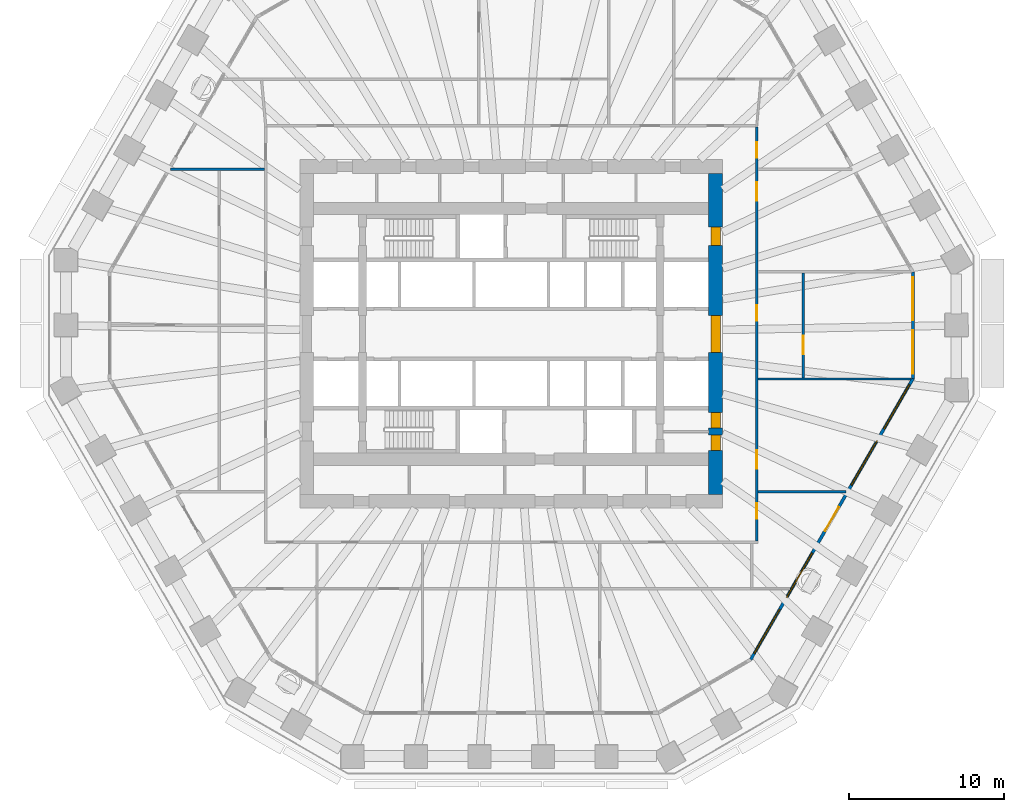
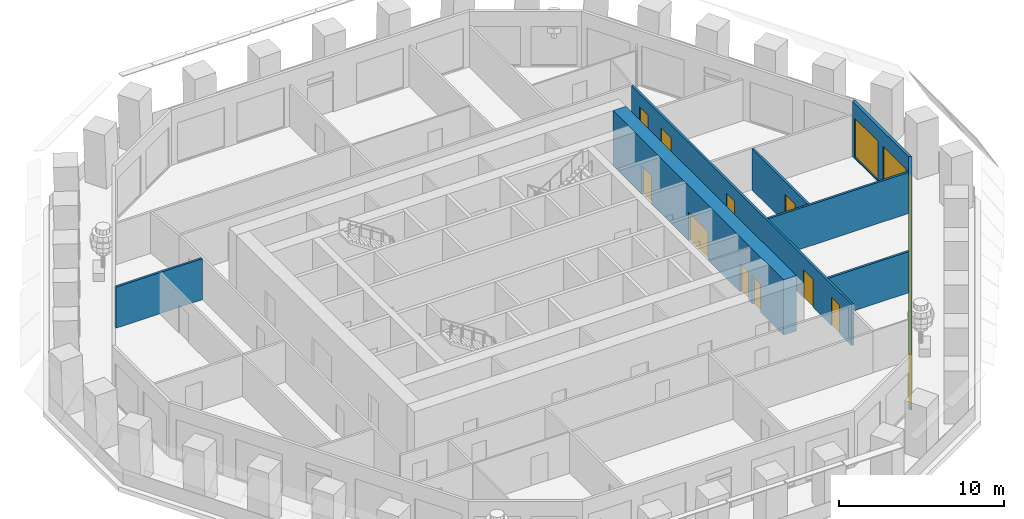
# One storey, part 6 of 13: 11 doors, 8 walls, 7 windows, 18 openings.
"""IFC4 building model written with IfcOpenShell, lengths in metres."""

from ifc_helpers import new_model, si_unit, direction, frame, frame_2d, origin, place, context, subcontext, project, spatial, polyline, rectangle, outline, extrude, material, layer, layer_set, type_object, element, fill, save


model = new_model("IFC4")

# Units and contexts
model_context = context("Model", 3, precision=1e-05, world=origin(), true_north=direction((0.0, 1.0)))
body_context = subcontext(model_context, "Body", "Model", "MODEL_VIEW")
ifc_project = project(units=[si_unit("LENGTHUNIT", "METRE"), si_unit("AREAUNIT", "SQUARE_METRE"), si_unit("VOLUMEUNIT", "CUBIC_METRE"), si_unit("PLANEANGLEUNIT", "RADIAN"), si_unit("MASSUNIT", "GRAM", prefix="KILO")], contexts=[model_context])

# Site, building, storey
site_placement = place(None, origin())
site = spatial("IfcSite", under=ifc_project, at=site_placement, CompositionType="ELEMENT")
building_placement = place(site_placement, origin())
building = spatial("IfcBuilding", under=site, at=building_placement, Name="Frailejon Research Tower", CompositionType="ELEMENT")
storey_placement = place(building_placement, frame((0.0, 0.0, 32.199951171875)))
storey = spatial("IfcBuildingStorey", under=building, at=storey_placement, Name="L07", CompositionType="ELEMENT", Elevation=32.199951171875)

# Wall, openings, doors
ifc_material_1 = material(Name="Concrete C70/85", Category="concrete")
ifc_layer_1 = layer(ifc_material_1, 0.89990234375)
ifc_layer_set_1 = layer_set([ifc_layer_1], Name="Core shear wall 900 C70/85")
wall_type_1 = type_object("IfcWallType", Name="Core shear wall 900 C70/85", PredefinedType="SHEAR", material=ifc_layer_set_1)
wall_1_placement = place(storey_placement, frame((13.199951171875, -10.35009765625, 0.0), z_axis=(0.0, 0.0, 1.0), x_axis=(0.0, 1.0, 0.0)))
wall_1 = element("IfcWall", 1, at=wall_1_placement, inside=storey, type_object=wall_type_1, Name="Core shear wall", PredefinedType="SHEAR", context=body_context, shape_type="SweptSolid", body=[
    extrude(rectangle(XDim=20.7001953125, YDim=0.89990234375, at=frame_2d((10.35009765625, 0.0))), origin(), (0.0, 0.0, 1.0), 4.10009765625),
])
opening_1_placement = place(wall_1_placement, frame((9.14990234375, 0.0, 0.0)))
opening_1 = element("IfcOpeningElement", 2, at=opening_1_placement, cuts=wall_1, Name="Opening D2", PredefinedType="OPENING", context=body_context, shape_type="SweptSolid", body=[
    extrude(rectangle(XDim=2.39990234375, YDim=2.10009765625, at=frame_2d((1.199951171875, 1.050048828125))), frame((0.0, 0.4599609375, 0.0), z_axis=(0.0, -1.0, 0.0), x_axis=(1.0, 0.0, 0.0)), (0.0, 0.0, 1.0), 0.919921875),
])
opening_2_placement = place(wall_1_placement, frame((16.050048828125, 0.0, 0.0)))
opening_2 = element("IfcOpeningElement", 3, at=opening_2_placement, cuts=wall_1, Name="Opening D7", PredefinedType="OPENING", context=body_context, shape_type="SweptSolid", body=[
    extrude(rectangle(XDim=1.199951171875, YDim=2.10009765625, at=frame_2d((0.60009765625, 1.050048828125))), frame((0.0, 0.4599609375, 0.0), z_axis=(0.0, -1.0, 0.0), x_axis=(1.0, 0.0, 0.0)), (0.0, 0.0, 1.0), 0.919921875),
])
opening_3_placement = place(wall_1_placement, frame((2.81884765625, 0.0, 0.0)))
opening_3 = element("IfcOpeningElement", 4, at=opening_3_placement, cuts=wall_1, Name="Opening D4", PredefinedType="OPENING", context=body_context, shape_type="SweptSolid", body=[
    extrude(rectangle(XDim=1.0, YDim=2.10009765625, at=frame_2d((0.5, 1.050048828125))), frame((0.0, 0.4599609375, 0.0), z_axis=(0.0, -1.0, 0.0), x_axis=(1.0, 0.0, 0.0)), (0.0, 0.0, 1.0), 0.919921875),
])
opening_4_placement = place(wall_1_placement, frame((4.28125, 0.0, 0.0)))
opening_4 = element("IfcOpeningElement", 5, at=opening_4_placement, cuts=wall_1, Name="Opening D4", PredefinedType="OPENING", context=body_context, shape_type="SweptSolid", body=[
    extrude(rectangle(XDim=1.0, YDim=2.10009765625, at=frame_2d((0.5, 1.050048828125))), frame((0.0, 0.4599609375, 0.0), z_axis=(0.0, -1.0, 0.0), x_axis=(1.0, 0.0, 0.0)), (0.0, 0.0, 1.0), 0.919921875),
])
ifc_material_2 = material(Name="Steel", Category="steel")
door_type_1 = type_object("IfcDoorType", Name="Lobby double door", OperationType="DOUBLE_DOOR_SINGLE_SWING", PredefinedType="DOOR", material=ifc_material_2)
door_1_placement = place(opening_1_placement, origin())
door_1 = element("IfcDoor", 6, at=door_1_placement, inside=storey, type_object=door_type_1, Name="Lobby door", OperationType="DOUBLE_DOOR_SINGLE_SWING", OverallHeight=2.10009765625, OverallWidth=2.39990234375, PredefinedType="DOOR", context=body_context, shape_type="SweptSolid", body=[
    extrude(rectangle(XDim=2.39990234375, YDim=2.10009765625, at=frame_2d((1.199951171875, 1.050048828125))), frame((0.0, 0.300048828125, 0.0), z_axis=(0.0, -1.0, 0.0), x_axis=(1.0, 0.0, 0.0)), (0.0, 0.0, 1.0), 0.60009765625),
])
fill(opening_1, door_1)
ifc_material_3 = material(Name="Steel", Category="steel")
door_type_2 = type_object("IfcDoorType", Name="Service door", OperationType="SINGLE_SWING_LEFT", PredefinedType="DOOR", material=ifc_material_3)
door_2_placement = place(opening_3_placement, origin())
door_2 = element("IfcDoor", 7, at=door_2_placement, inside=storey, type_object=door_type_2, Name="Store door", OperationType="SINGLE_SWING_LEFT", OverallHeight=2.10009765625, OverallWidth=1.0, PredefinedType="DOOR", context=body_context, shape_type="SweptSolid", body=[
    extrude(rectangle(XDim=1.0, YDim=2.10009765625, at=frame_2d((0.5, 1.050048828125))), frame((0.0, 0.300048828125, 0.0), z_axis=(0.0, -1.0, 0.0), x_axis=(1.0, 0.0, 0.0)), (0.0, 0.0, 1.0), 0.60009765625),
])
fill(opening_3, door_2)
door_3_placement = place(opening_4_placement, origin())
door_3 = element("IfcDoor", 8, at=door_3_placement, inside=storey, type_object=door_type_2, Name="Store door", OperationType="SINGLE_SWING_RIGHT", OverallHeight=2.10009765625, OverallWidth=1.0, PredefinedType="DOOR", context=body_context, shape_type="SweptSolid", body=[
    extrude(rectangle(XDim=1.0, YDim=2.10009765625, at=frame_2d((0.5, 1.050048828125))), frame((0.0, 0.300048828125, 0.0), z_axis=(0.0, -1.0, 0.0), x_axis=(1.0, 0.0, 0.0)), (0.0, 0.0, 1.0), 0.60009765625),
])
fill(opening_4, door_3)
ifc_material_4 = material(Name="Steel", Category="steel")
door_type_3 = type_object("IfcDoorType", Name="Stair exit door", OperationType="SINGLE_SWING_LEFT", PredefinedType="DOOR", material=ifc_material_4)
door_4_placement = place(opening_2_placement, origin())
door_4 = element("IfcDoor", 9, at=door_4_placement, inside=storey, type_object=door_type_3, Name="Stair exit door ST3", OperationType="SINGLE_SWING_LEFT", OverallHeight=2.10009765625, OverallWidth=1.199951171875, PredefinedType="DOOR", context=body_context, shape_type="SweptSolid", body=[
    extrude(rectangle(XDim=1.199951171875, YDim=2.10009765625, at=frame_2d((0.60009765625, 1.050048828125))), frame((0.0, 0.300048828125, 0.0), z_axis=(0.0, -1.0, 0.0), x_axis=(1.0, 0.0, 0.0)), (0.0, 0.0, 1.0), 0.60009765625),
])
fill(opening_2, door_4)

ifc_material_5 = material(Name="Gypsum board and masonry partition", Category="masonry")
ifc_layer_2 = layer(ifc_material_5, 0.14990234375)
ifc_layer_set_2 = layer_set([ifc_layer_2], Name="Corridor wall EI 60, gypsum on steel studs 150")
wall_type_2 = type_object("IfcWallType", Name="Corridor wall EI 60, gypsum on steel studs 150", PredefinedType="PARTITIONING", material=ifc_layer_set_2)
wall_2_placement = place(storey_placement, frame((15.85009765625, -13.375, 0.0), z_axis=(0.0, 0.0, 1.0), x_axis=(0.0, 1.0, 0.0)))
wall_2 = element("IfcWall", 10, at=wall_2_placement, inside=storey, type_object=wall_type_2, Name="T:IW:L07:001", PredefinedType="PARTITIONING", context=body_context, shape_type="SweptSolid", body=[
    extrude(rectangle(XDim=26.75, YDim=0.14990234375, at=frame_2d((13.375, 0.0))), origin(), (0.0, 0.0, 1.0), 3.050048828125),
])
opening_5_placement = place(wall_2_placement, frame((14.21240234375, 0.0, 0.0)))
opening_5 = element("IfcOpeningElement", 11, at=opening_5_placement, cuts=wall_2, Name="Opening D1320", PredefinedType="OPENING", context=body_context, shape_type="SweptSolid", body=[
    extrude(rectangle(XDim=1.0, YDim=2.10009765625, at=frame_2d((0.5, 1.050048828125))), frame((0.0, 0.0849609375, 0.0), z_axis=(0.0, -1.0, 0.0), x_axis=(1.0, 0.0, 0.0)), (0.0, 0.0, 1.0), 0.169921875),
])
opening_6_placement = place(wall_2_placement, frame((21.95849609375, 0.0, 0.0)))
opening_6 = element("IfcOpeningElement", 12, at=opening_6_placement, cuts=wall_2, Name="Opening D1321", PredefinedType="OPENING", context=body_context, shape_type="SweptSolid", body=[
    extrude(rectangle(XDim=1.199951171875, YDim=2.10009765625, at=frame_2d((0.60009765625, 1.050048828125))), frame((0.0, 0.0849609375, 0.0), z_axis=(0.0, -1.0, 0.0), x_axis=(1.0, 0.0, 0.0)), (0.0, 0.0, 1.0), 0.169921875),
])
opening_7_placement = place(wall_2_placement, frame((24.743408203125, 0.0, 0.0)))
opening_7 = element("IfcOpeningElement", 13, at=opening_7_placement, cuts=wall_2, Name="Opening D1322", PredefinedType="OPENING", context=body_context, shape_type="SweptSolid", body=[
    extrude(rectangle(XDim=1.0, YDim=2.10009765625, at=frame_2d((0.5, 1.050048828125))), frame((0.0, 0.0849609375, 0.0), z_axis=(0.0, -1.0, 0.0), x_axis=(1.0, 0.0, 0.0)), (0.0, 0.0, 1.0), 0.169921875),
])
opening_8_placement = place(wall_2_placement, frame((1.450927734375, 0.0, 0.0)))
opening_8 = element("IfcOpeningElement", 14, at=opening_8_placement, cuts=wall_2, Name="Opening D1343", PredefinedType="OPENING", context=body_context, shape_type="SweptSolid", body=[
    extrude(rectangle(XDim=1.0, YDim=2.10009765625, at=frame_2d((0.5, 1.050048828125))), frame((0.0, 0.0849609375, 0.0), z_axis=(0.0, -1.0, 0.0), x_axis=(1.0, 0.0, 0.0)), (0.0, 0.0, 1.0), 0.169921875),
])
opening_9_placement = place(wall_2_placement, frame((4.6708984375, 0.0, 0.0)))
opening_9 = element("IfcOpeningElement", 15, at=opening_9_placement, cuts=wall_2, Name="Opening D1344", PredefinedType="OPENING", context=body_context, shape_type="SweptSolid", body=[
    extrude(rectangle(XDim=1.199951171875, YDim=2.10009765625, at=frame_2d((0.60009765625, 1.050048828125))), frame((0.0, 0.0849609375, 0.0), z_axis=(0.0, -1.0, 0.0), x_axis=(1.0, 0.0, 0.0)), (0.0, 0.0, 1.0), 0.169921875),
])
ifc_material_6 = material(Name="Timber door leaf", Category="wood")
door_type_4 = type_object("IfcDoorType", Name="Door laboratory, timber, vision panel 1200", OperationType="NOTDEFINED", PredefinedType="DOOR", material=ifc_material_6)
door_5_placement = place(opening_6_placement, origin())
door_5 = element("IfcDoor", 16, at=door_5_placement, inside=storey, type_object=door_type_4, Name="D1321", OperationType="DOUBLE_DOOR_SINGLE_SWING", OverallHeight=2.10009765625, OverallWidth=1.199951171875, PredefinedType="DOOR", context=body_context, shape_type="SweptSolid", body=[
    extrude(rectangle(XDim=1.199951171875, YDim=2.10009765625, at=frame_2d((0.60009765625, 1.050048828125))), frame((0.0, 0.02490234375, 0.0), z_axis=(0.0, -1.0, 0.0), x_axis=(1.0, 0.0, 0.0)), (0.0, 0.0, 1.0), 0.050048828125),
])
fill(opening_6, door_5)
door_6_placement = place(opening_9_placement, origin())
door_6 = element("IfcDoor", 17, at=door_6_placement, inside=storey, type_object=door_type_4, Name="D1344", OperationType="DOUBLE_DOOR_SINGLE_SWING", OverallHeight=2.10009765625, OverallWidth=1.199951171875, PredefinedType="DOOR", context=body_context, shape_type="SweptSolid", body=[
    extrude(rectangle(XDim=1.199951171875, YDim=2.10009765625, at=frame_2d((0.60009765625, 1.050048828125))), frame((0.0, 0.02490234375, 0.0), z_axis=(0.0, -1.0, 0.0), x_axis=(1.0, 0.0, 0.0)), (0.0, 0.0, 1.0), 0.050048828125),
])
fill(opening_9, door_6)
ifc_material_7 = material(Name="Timber door leaf", Category="wood")
door_type_5 = type_object("IfcDoorType", Name="Door single leaf, timber, steel frame 1000", OperationType="NOTDEFINED", PredefinedType="DOOR", material=ifc_material_7)
door_7_placement = place(opening_5_placement, origin())
door_7 = element("IfcDoor", 18, at=door_7_placement, inside=storey, type_object=door_type_5, Name="D1320", OperationType="SINGLE_SWING_RIGHT", OverallHeight=2.10009765625, OverallWidth=1.0, PredefinedType="DOOR", context=body_context, shape_type="SweptSolid", body=[
    extrude(rectangle(XDim=1.0, YDim=2.10009765625, at=frame_2d((0.5, 1.050048828125))), frame((0.0, 0.02490234375, 0.0), z_axis=(0.0, -1.0, 0.0), x_axis=(1.0, 0.0, 0.0)), (0.0, 0.0, 1.0), 0.050048828125),
])
fill(opening_5, door_7)
door_8_placement = place(opening_7_placement, origin())
door_8 = element("IfcDoor", 19, at=door_8_placement, inside=storey, type_object=door_type_5, Name="D1322", OperationType="SINGLE_SWING_LEFT", OverallHeight=2.10009765625, OverallWidth=1.0, PredefinedType="DOOR", context=body_context, shape_type="SweptSolid", body=[
    extrude(rectangle(XDim=1.0, YDim=2.10009765625, at=frame_2d((0.5, 1.050048828125))), frame((0.0, 0.02490234375, 0.0), z_axis=(0.0, -1.0, 0.0), x_axis=(1.0, 0.0, 0.0)), (0.0, 0.0, 1.0), 0.050048828125),
])
fill(opening_7, door_8)
door_9_placement = place(opening_8_placement, origin())
door_9 = element("IfcDoor", 20, at=door_9_placement, inside=storey, type_object=door_type_5, Name="D1343", OperationType="SINGLE_SWING_RIGHT", OverallHeight=2.10009765625, OverallWidth=1.0, PredefinedType="DOOR", context=body_context, shape_type="SweptSolid", body=[
    extrude(rectangle(XDim=1.0, YDim=2.10009765625, at=frame_2d((0.5, 1.050048828125))), frame((0.0, 0.02490234375, 0.0), z_axis=(0.0, -1.0, 0.0), x_axis=(1.0, 0.0, 0.0)), (0.0, 0.0, 1.0), 0.050048828125),
])
fill(opening_8, door_9)

# Wall, opening, door
ifc_material_8 = material(Name="Gypsum board and masonry partition", Category="masonry")
ifc_layer_3 = layer(ifc_material_8, 0.14990234375)
ifc_layer_set_3 = layer_set([ifc_layer_3], Name="Laboratory partition, blockwork 150")
wall_type_3 = type_object("IfcWallType", Name="Laboratory partition, blockwork 150", PredefinedType="PARTITIONING", material=ifc_layer_set_3)
wall_3_placement = place(storey_placement, frame((18.85009765625, -2.8359375, 0.0), z_axis=(0.0, 0.0, 1.0), x_axis=(0.0, 1.0, 0.0)))
wall_3 = element("IfcWall", 21, at=wall_3_placement, inside=storey, type_object=wall_type_3, Name="T:IW:L07:005", PredefinedType="PARTITIONING", context=body_context, shape_type="SweptSolid", body=[
    extrude(rectangle(XDim=6.778076171875, YDim=0.14990234375, at=frame_2d((3.38916015625, 0.0))), origin(), (0.0, 0.0, 1.0), 3.050048828125),
])
opening_10_placement = place(wall_3_placement, frame((1.531982421875, 0.0, 0.0)))
opening_10 = element("IfcOpeningElement", 22, at=opening_10_placement, cuts=wall_3, Name="Opening D1319", PredefinedType="OPENING", context=body_context, shape_type="SweptSolid", body=[
    extrude(rectangle(XDim=1.199951171875, YDim=2.10009765625, at=frame_2d((0.60009765625, 1.050048828125))), frame((0.0, 0.0849609375, 0.0), z_axis=(0.0, -1.0, 0.0), x_axis=(1.0, 0.0, 0.0)), (0.0, 0.0, 1.0), 0.169921875),
])
door_10_placement = place(opening_10_placement, origin())
door_10 = element("IfcDoor", 23, at=door_10_placement, inside=storey, type_object=door_type_4, Name="D1319", OperationType="DOUBLE_DOOR_SINGLE_SWING", OverallHeight=2.10009765625, OverallWidth=1.199951171875, PredefinedType="DOOR", context=body_context, shape_type="SweptSolid", body=[
    extrude(rectangle(XDim=1.199951171875, YDim=2.10009765625, at=frame_2d((0.60009765625, 1.050048828125))), frame((0.0, 0.02490234375, 0.0), z_axis=(0.0, -1.0, 0.0), x_axis=(1.0, 0.0, 0.0)), (0.0, 0.0, 1.0), 0.050048828125),
])
fill(opening_10, door_10)

# Walls
wall_4_placement = place(storey_placement, frame((15.925048828125, -2.910888671875, 0.0), z_axis=(0.0, 0.0, 1.0), x_axis=(1.0, 0.0, 0.0)))
element("IfcWall", 24, at=wall_4_placement, inside=storey, type_object=wall_type_3, Name="T:IW:L07:007", PredefinedType="PARTITIONING", context=body_context, shape_type="SweptSolid", body=[
    extrude(rectangle(XDim=9.876220703125, YDim=0.14990234375, at=frame_2d((4.93798828125, 0.0))), origin(), (0.0, 0.0, 1.0), 3.050048828125),
])
wall_5_placement = place(storey_placement, frame((-21.986328125, 10.624755859375, 0.0), z_axis=(0.0, 0.0, 1.0), x_axis=(1.0, 0.0, 0.0)))
element("IfcWall", 25, at=wall_5_placement, inside=storey, type_object=wall_type_3, Name="T:IW:L07:008", PredefinedType="PARTITIONING", context=body_context, shape_type="SweptSolid", body=[
    extrude(rectangle(XDim=6.061279296875, YDim=0.14990234375, at=frame_2d((3.03076171875, 0.0))), origin(), (0.0, 0.0, 1.0), 3.050048828125),
])
wall_6_placement = place(storey_placement, frame((15.925048828125, -10.18212890625, 0.0), z_axis=(0.0, 0.0, 1.0), x_axis=(1.0, 0.0, 0.0)))
element("IfcWall", 26, at=wall_6_placement, inside=storey, type_object=wall_type_3, Name="T:IW:L07:018", PredefinedType="PARTITIONING", context=body_context, shape_type="SweptSolid", body=[
    extrude(rectangle(XDim=5.67822265625, YDim=0.14990234375, at=frame_2d((2.839111328125, 0.0))), origin(), (0.0, 0.0, 1.0), 3.050048828125),
])

# Wall, openings, windows
ifc_material_9 = material(Name="Concrete C40/50 precast window wall panel", Category="concrete")
ifc_layer_4 = layer(ifc_material_9, 0.199951171875)
ifc_layer_set_4 = layer_set([ifc_layer_4], Name="Window wall 200")
wall_type_4 = type_object("IfcWallType", Name="Window wall 200", PredefinedType="SOLIDWALL", material=ifc_layer_set_4)
wall_7_placement = place(storey_placement, frame((25.93212890625, -2.88427734375, 0.0), z_axis=(0.0, 0.0, 1.0), x_axis=(0.0, 1.0, 0.0)))
wall_7 = element("IfcWall", 27, at=wall_7_placement, inside=storey, type_object=wall_type_4, Name="Exterior wall L07", PredefinedType="SOLIDWALL", context=body_context, shape_type="SweptSolid", body=[
    extrude(outline(polyline([(-0.02685546875, -0.10009765625), (1.1279296875, -0.10009765625), (2.28271484375, -0.10009765625), (3.4375, -0.10009765625), (4.592041015625, -0.10009765625), (5.746826171875, -0.10009765625), (6.901611328125, -0.10009765625), (6.847900390625, 0.10009765625), (5.7109375, 0.10009765625), (4.57421875, 0.10009765625), (3.4375, 0.10009765625), (2.300537109375, 0.10009765625), (1.16357421875, 0.10009765625), (0.02685546875, 0.10009765625), (-0.02685546875, -0.10009765625)])), origin(), (0.0, 0.0, 1.0), 4.10009765625),
])
opening_11_placement = place(wall_7_placement, frame((0.318603515625, 0.0, 0.10009765625)))
opening_11 = element("IfcOpeningElement", 28, at=opening_11_placement, cuts=wall_7, Name="Opening W3", PredefinedType="OPENING", context=body_context, shape_type="SweptSolid", body=[
    extrude(rectangle(XDim=2.800048828125, YDim=2.89990234375, at=frame_2d((1.39990234375, 1.449951171875))), frame((0.0, 0.10986328125, 0.0), z_axis=(0.0, -1.0, 0.0), x_axis=(1.0, 0.0, 0.0)), (0.0, 0.0, 1.0), 0.219970703125),
])
opening_12_placement = place(wall_7_placement, frame((3.756103515625, 0.0, 0.10009765625)))
opening_12 = element("IfcOpeningElement", 29, at=opening_12_placement, cuts=wall_7, Name="Opening W3", PredefinedType="OPENING", context=body_context, shape_type="SweptSolid", body=[
    extrude(rectangle(XDim=2.800048828125, YDim=2.89990234375, at=frame_2d((1.39990234375, 1.449951171875))), frame((0.0, 0.10986328125, 0.0), z_axis=(0.0, -1.0, 0.0), x_axis=(1.0, 0.0, 0.0)), (0.0, 0.0, 1.0), 0.219970703125),
])
ifc_material_10 = material(Name="Aluminium framed double glazing", Category="aluminium")
window_type_1 = type_object("IfcWindowType", Name="Window 2800x2900", PartitioningType="SINGLE_PANEL", PredefinedType="WINDOW", material=ifc_material_10)
window_1_placement = place(opening_11_placement, origin())
window_1 = element("IfcWindow", 30, at=window_1_placement, inside=storey, type_object=window_type_1, Name="Window L07", OverallHeight=2.89990234375, OverallWidth=2.800048828125, PartitioningType="SINGLE_PANEL", PredefinedType="WINDOW", context=body_context, shape_type="SweptSolid", body=[
    extrude(rectangle(XDim=2.800048828125, YDim=2.89990234375, at=frame_2d((1.39990234375, 1.449951171875))), frame((0.0, 0.030029296875, 0.0), z_axis=(0.0, -1.0, 0.0), x_axis=(1.0, 0.0, 0.0)), (0.0, 0.0, 1.0), 0.06005859375),
])
fill(opening_11, window_1)
window_2_placement = place(opening_12_placement, origin())
window_2 = element("IfcWindow", 31, at=window_2_placement, inside=storey, type_object=window_type_1, Name="Window L07", OverallHeight=2.89990234375, OverallWidth=2.800048828125, PartitioningType="SINGLE_PANEL", PredefinedType="WINDOW", context=body_context, shape_type="SweptSolid", body=[
    extrude(rectangle(XDim=2.800048828125, YDim=2.89990234375, at=frame_2d((1.39990234375, 1.449951171875))), frame((0.0, 0.030029296875, 0.0), z_axis=(0.0, -1.0, 0.0), x_axis=(1.0, 0.0, 0.0)), (0.0, 0.0, 1.0), 0.06005859375),
])
fill(opening_12, window_2)

# Wall, openings, door, windows
wall_8_placement = place(storey_placement, frame((15.4638671875, -21.015869140625, 0.0), z_axis=(0.0, 0.0, 1.0), x_axis=(0.499999366442, 0.866025769569, 0.0)))
wall_8 = element("IfcWall", 32, at=wall_8_placement, inside=storey, type_object=wall_type_4, Name="Exterior wall L07", PredefinedType="SOLIDWALL", context=body_context, shape_type="SweptSolid", body=[
    extrude(outline(polyline([(-0.02685546875, -0.10009765625), (1.022705078125, -0.10009765625), (2.072265625, -0.10009765625), (3.12158203125, -0.10009765625), (4.171142578125, -0.10009765625), (5.220703125, -0.10009765625), (6.270263671875, -0.10009765625), (7.31982421875, -0.10009765625), (8.369140625, -0.10009765625), (9.418701171875, -0.10009765625), (10.46826171875, -0.10009765625), (11.517822265625, -0.10009765625), (12.5673828125, -0.10009765625), (13.61669921875, -0.10009765625), (14.666259765625, -0.10009765625), (15.7158203125, -0.10009765625), (16.765380859375, -0.10009765625), (17.81494140625, -0.10009765625), (18.8642578125, -0.10009765625), (19.913818359375, -0.10009765625), (20.96337890625, -0.10009765625), (20.90966796875, 0.10009765625), (19.865478515625, 0.10009765625), (18.8212890625, 0.10009765625), (17.77734375, 0.10009765625), (16.733154296875, 0.10009765625), (15.68896484375, 0.10009765625), (14.644775390625, 0.10009765625), (13.6005859375, 0.10009765625), (12.556640625, 0.10009765625), (11.512451171875, 0.10009765625), (10.46826171875, 0.10009765625), (9.424072265625, 0.10009765625), (8.3798828125, 0.10009765625), (7.3359375, 0.10009765625), (6.291748046875, 0.10009765625), (5.24755859375, 0.10009765625), (4.203369140625, 0.10009765625), (3.1591796875, 0.10009765625), (2.115234375, 0.10009765625), (1.071044921875, 0.10009765625), (0.02685546875, 0.10009765625), (-0.02685546875, -0.10009765625)])), origin(), (0.0, 0.0, 1.0), 4.10009765625),
])
opening_13_placement = place(wall_8_placement, frame((0.443603515625, 0.0, 0.10009765625)))
opening_13 = element("IfcOpeningElement", 33, at=opening_13_placement, cuts=wall_8, Name="Opening W5", PredefinedType="OPENING", context=body_context, shape_type="SweptSolid", body=[
    extrude(rectangle(XDim=3.300048828125, YDim=2.89990234375, at=frame_2d((1.64990234375, 1.449951171875))), frame((0.0, 0.10986328125, 0.0), z_axis=(0.0, -1.0, 0.0), x_axis=(1.0, 0.0, 0.0)), (0.0, 0.0, 1.0), 0.219970703125),
])
opening_14_placement = place(wall_8_placement, frame((4.631103515625, 0.0, 0.10009765625)))
opening_14 = element("IfcOpeningElement", 34, at=opening_14_placement, cuts=wall_8, Name="Opening W5", PredefinedType="OPENING", context=body_context, shape_type="SweptSolid", body=[
    extrude(rectangle(XDim=3.300048828125, YDim=2.89990234375, at=frame_2d((1.64990234375, 1.449951171875))), frame((0.0, 0.10986328125, 0.0), z_axis=(0.0, -1.0, 0.0), x_axis=(1.0, 0.0, 0.0)), (0.0, 0.0, 1.0), 0.219970703125),
])
opening_15_placement = place(wall_8_placement, frame((9.568359375, 0.0, 0.0)))
opening_15 = element("IfcOpeningElement", 35, at=opening_15_placement, cuts=wall_8, Name="Opening LG07-6", PredefinedType="OPENING", context=body_context, shape_type="SweptSolid", body=[
    extrude(rectangle(XDim=1.800048828125, YDim=2.39990234375, at=frame_2d((0.89990234375, 1.199951171875))), frame((0.0, 0.10986328125, 0.0), z_axis=(0.0, -1.0, 0.0), x_axis=(1.0, 0.0, 0.0)), (0.0, 0.0, 1.0), 0.219970703125),
])
opening_16_placement = place(wall_8_placement, frame((9.568359375, 0.0, 2.550048828125)))
opening_16 = element("IfcOpeningElement", 36, at=opening_16_placement, cuts=wall_8, Name="Opening W1", PredefinedType="OPENING", context=body_context, shape_type="SweptSolid", body=[
    extrude(rectangle(XDim=1.800048828125, YDim=0.449951171875, at=frame_2d((0.89990234375, 0.22509765625))), frame((0.0, 0.10986328125, 0.0), z_axis=(0.0, -1.0, 0.0), x_axis=(1.0, 0.0, 0.0)), (0.0, 0.0, 1.0), 0.219970703125),
])
opening_17_placement = place(wall_8_placement, frame((13.005615234375, 0.0, 0.10009765625)))
opening_17 = element("IfcOpeningElement", 37, at=opening_17_placement, cuts=wall_8, Name="Opening W5", PredefinedType="OPENING", context=body_context, shape_type="SweptSolid", body=[
    extrude(rectangle(XDim=3.300048828125, YDim=2.89990234375, at=frame_2d((1.64990234375, 1.449951171875))), frame((0.0, 0.10986328125, 0.0), z_axis=(0.0, -1.0, 0.0), x_axis=(1.0, 0.0, 0.0)), (0.0, 0.0, 1.0), 0.219970703125),
])
opening_18_placement = place(wall_8_placement, frame((17.19287109375, 0.0, 0.10009765625)))
opening_18 = element("IfcOpeningElement", 38, at=opening_18_placement, cuts=wall_8, Name="Opening W5", PredefinedType="OPENING", context=body_context, shape_type="SweptSolid", body=[
    extrude(rectangle(XDim=3.300048828125, YDim=2.89990234375, at=frame_2d((1.64990234375, 1.449951171875))), frame((0.0, 0.10986328125, 0.0), z_axis=(0.0, -1.0, 0.0), x_axis=(1.0, 0.0, 0.0)), (0.0, 0.0, 1.0), 0.219970703125),
])
ifc_material_11 = material(Name="Aluminium framed glazed door leaf", Category="aluminium")
door_type_6 = type_object("IfcDoorType", Name="Loggia door 1800x2400", OperationType="DOUBLE_DOOR_SINGLE_SWING", PredefinedType="DOOR", material=ifc_material_11)
door_11_placement = place(opening_15_placement, origin())
door_11 = element("IfcDoor", 39, at=door_11_placement, inside=storey, type_object=door_type_6, Name="Door LG07-6", OperationType="DOUBLE_DOOR_SINGLE_SWING", OverallHeight=2.39990234375, OverallWidth=1.800048828125, PredefinedType="DOOR", context=body_context, shape_type="SweptSolid", body=[
    extrude(rectangle(XDim=1.800048828125, YDim=2.39990234375, at=frame_2d((0.89990234375, 1.199951171875))), frame((0.0, 0.02490234375, 0.0), z_axis=(0.0, -1.0, 0.0), x_axis=(1.0, 0.0, 0.0)), (0.0, 0.0, 1.0), 0.050048828125),
])
fill(opening_15, door_11)
ifc_material_12 = material(Name="Aluminium framed double glazing", Category="aluminium")
window_type_2 = type_object("IfcWindowType", Name="Window 1800x450", PartitioningType="SINGLE_PANEL", PredefinedType="WINDOW", material=ifc_material_12)
window_3_placement = place(opening_16_placement, origin())
window_3 = element("IfcWindow", 40, at=window_3_placement, inside=storey, type_object=window_type_2, Name="Window L07", OverallHeight=0.449951171875, OverallWidth=1.800048828125, PartitioningType="SINGLE_PANEL", PredefinedType="WINDOW", context=body_context, shape_type="SweptSolid", body=[
    extrude(rectangle(XDim=1.800048828125, YDim=0.449951171875, at=frame_2d((0.89990234375, 0.22509765625))), frame((0.0, 0.030029296875, 0.0), z_axis=(0.0, -1.0, 0.0), x_axis=(1.0, 0.0, 0.0)), (0.0, 0.0, 1.0), 0.06005859375),
])
fill(opening_16, window_3)
ifc_material_13 = material(Name="Aluminium framed double glazing", Category="aluminium")
window_type_3 = type_object("IfcWindowType", Name="Window 3300x2900", PartitioningType="SINGLE_PANEL", PredefinedType="WINDOW", material=ifc_material_13)
window_4_placement = place(opening_13_placement, origin())
window_4 = element("IfcWindow", 41, at=window_4_placement, inside=storey, type_object=window_type_3, Name="Window L07", OverallHeight=2.89990234375, OverallWidth=3.300048828125, PartitioningType="SINGLE_PANEL", PredefinedType="WINDOW", context=body_context, shape_type="SweptSolid", body=[
    extrude(rectangle(XDim=3.300048828125, YDim=2.89990234375, at=frame_2d((1.64990234375, 1.449951171875))), frame((0.0, 0.030029296875, 0.0), z_axis=(0.0, -1.0, 0.0), x_axis=(1.0, 0.0, 0.0)), (0.0, 0.0, 1.0), 0.06005859375),
])
fill(opening_13, window_4)
window_5_placement = place(opening_14_placement, origin())
window_5 = element("IfcWindow", 42, at=window_5_placement, inside=storey, type_object=window_type_3, Name="Window L07", OverallHeight=2.89990234375, OverallWidth=3.300048828125, PartitioningType="SINGLE_PANEL", PredefinedType="WINDOW", context=body_context, shape_type="SweptSolid", body=[
    extrude(rectangle(XDim=3.300048828125, YDim=2.89990234375, at=frame_2d((1.64990234375, 1.449951171875))), frame((0.0, 0.030029296875, 0.0), z_axis=(0.0, -1.0, 0.0), x_axis=(1.0, 0.0, 0.0)), (0.0, 0.0, 1.0), 0.06005859375),
])
fill(opening_14, window_5)
window_6_placement = place(opening_17_placement, origin())
window_6 = element("IfcWindow", 43, at=window_6_placement, inside=storey, type_object=window_type_3, Name="Window L07", OverallHeight=2.89990234375, OverallWidth=3.300048828125, PartitioningType="SINGLE_PANEL", PredefinedType="WINDOW", context=body_context, shape_type="SweptSolid", body=[
    extrude(rectangle(XDim=3.300048828125, YDim=2.89990234375, at=frame_2d((1.64990234375, 1.449951171875))), frame((0.0, 0.030029296875, 0.0), z_axis=(0.0, -1.0, 0.0), x_axis=(1.0, 0.0, 0.0)), (0.0, 0.0, 1.0), 0.06005859375),
])
fill(opening_17, window_6)
window_7_placement = place(opening_18_placement, origin())
window_7 = element("IfcWindow", 44, at=window_7_placement, inside=storey, type_object=window_type_3, Name="Window L07", OverallHeight=2.89990234375, OverallWidth=3.300048828125, PartitioningType="SINGLE_PANEL", PredefinedType="WINDOW", context=body_context, shape_type="SweptSolid", body=[
    extrude(rectangle(XDim=3.300048828125, YDim=2.89990234375, at=frame_2d((1.64990234375, 1.449951171875))), frame((0.0, 0.030029296875, 0.0), z_axis=(0.0, -1.0, 0.0), x_axis=(1.0, 0.0, 0.0)), (0.0, 0.0, 1.0), 0.06005859375),
])
fill(opening_18, window_7)

save(model, "model.ifc")
